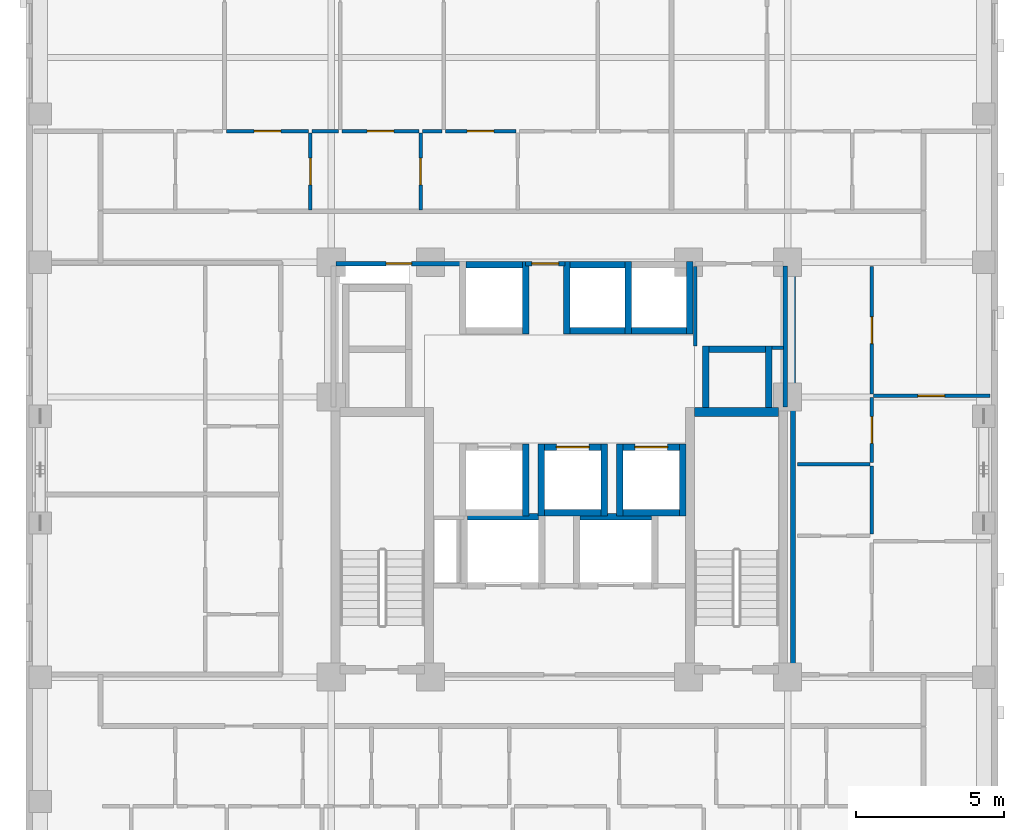
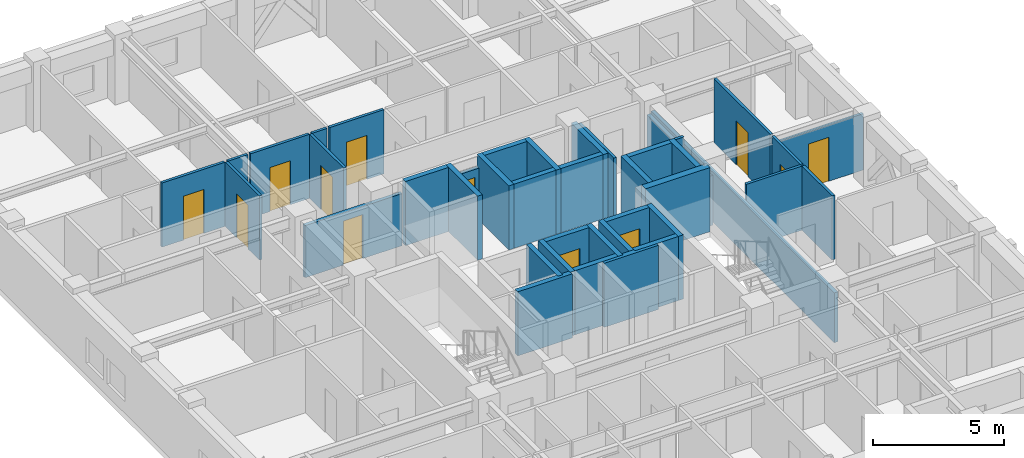
# One storey, part 6 of 12: 41 walls, 12 doors, 12 openings.
"""IFC4 building model written with IfcOpenShell, lengths in metres."""

import ifcopenshell
import ifcopenshell.guid

model = None  # the IFC model being written
_history = None  # IfcOwnerHistory: only IFC2X3 demands one
_inside = {}  # id of a spatial element -> (the spatial element, [elements in it])
_under = {}  # id of a project, library or spatial element -> (it, [spatial elements below it])
_declared = {}  # id of a project -> (the project, [libraries it declares])
_typed = {}  # id of a type object -> (the type object, [elements of that type])
_made_of = {}  # id of a material, layer set ... -> (it, [elements and type objects made of it])


def new_model(schema):
    """Start an empty IFC model of exactly this schema.

    Asked for "IFC4X3", IfcOpenShell would pick the latest addendum, in which some entities
    have other attributes; the version numbers below select the first issue.
    IFC2X3 requires an IfcOwnerHistory on every rooted entity: one is made here for all.
    """
    global model, _history
    if schema == "IFC4X3":
        model = ifcopenshell.file(schema_version=(4, 3, 0, 0))
    else:
        model = ifcopenshell.file(schema=schema)
    _inside.clear()
    _under.clear()
    _declared.clear()
    _typed.clear()
    _made_of.clear()
    _history = None
    if model.schema == "IFC2X3":
        org = make("IfcOrganization", Name="unknown")
        user = make(
            "IfcPersonAndOrganization",
            ThePerson=make("IfcPerson", FamilyName="unknown"),
            TheOrganization=org,
        )
        app = make(
            "IfcApplication",
            ApplicationDeveloper=org,
            Version="unknown",
            ApplicationFullName="unknown",
            ApplicationIdentifier="unknown",
        )
        _history = make(
            "IfcOwnerHistory",
            OwningUser=user,
            OwningApplication=app,
            ChangeAction="ADDED",
            CreationDate=0,
        )
    return model


def make(cls, **values):
    """One entity of the class cls with the attributes given. An attribute that is None is left unset."""
    return model.create_entity(
        cls, **{name: value for name, value in values.items() if value is not None}
    )


def rooted(cls, **values):
    """An entity with a GlobalId (a new one), such as an element, a storey or a relation."""
    return make(cls, GlobalId=ifcopenshell.guid.new(), OwnerHistory=_history, **values)


def si_unit(unit_type, name, prefix=None):
    """IfcSIUnit, for example si_unit("LENGTHUNIT", "METRE", prefix="MILLI")."""
    return make("IfcSIUnit", UnitType=unit_type, Prefix=prefix, Name=name)


def derived_unit(unit_type, elements):
    """IfcDerivedUnit: a product of units, each with its exponent."""
    return make(
        "IfcDerivedUnit",
        Elements=[
            make("IfcDerivedUnitElement", Unit=unit, Exponent=power)
            for unit, power in elements
        ],
        UnitType=unit_type,
    )


def assignment(units):
    """IfcUnitAssignment: the units of a project."""
    return None if units is None else make("IfcUnitAssignment", Units=units)


def point(xyz):
    """IfcCartesianPoint."""
    return None if xyz is None else make("IfcCartesianPoint", Coordinates=xyz)


def direction(xyz):
    """IfcDirection."""
    return None if xyz is None else make("IfcDirection", DirectionRatios=xyz)


def frame(location, z_axis=None, x_axis=None):
    """IfcAxis2Placement3D, a coordinate frame: its origin and axes. An axis left out is left unset."""
    return make(
        "IfcAxis2Placement3D",
        Location=point(location),
        Axis=direction(z_axis),
        RefDirection=direction(x_axis),
    )


def frame_2d(location, x_axis=None):
    """IfcAxis2Placement2D, a coordinate frame in the plane: its origin and x axis."""
    return make(
        "IfcAxis2Placement2D", Location=point(location), RefDirection=direction(x_axis)
    )


def origin():
    """The frame at (0, 0, 0) with its axes left unset."""
    return frame((0.0, 0.0, 0.0))


def place(relative_to, where):
    """IfcLocalPlacement: puts the frame where relative to a parent placement (None: the world)."""
    return make(
        "IfcLocalPlacement", PlacementRelTo=relative_to, RelativePlacement=where
    )


def context(
    kind, dimensions, precision=None, world=None, true_north=None, identifier=None
):
    """IfcGeometricRepresentationContext, for example the 3D "Model" context."""
    return make(
        "IfcGeometricRepresentationContext",
        ContextIdentifier=identifier,
        ContextType=kind,
        CoordinateSpaceDimension=dimensions,
        Precision=precision,
        WorldCoordinateSystem=world,
        TrueNorth=true_north,
    )


def subcontext(parent, identifier, kind, view, scale=None):
    """IfcGeometricRepresentationSubContext, for example "Body" below "Model"."""
    return make(
        "IfcGeometricRepresentationSubContext",
        ContextIdentifier=identifier,
        ContextType=kind,
        ParentContext=parent,
        TargetScale=scale,
        TargetView=view,
    )


def project(units=None, contexts=None):
    """IfcProject with its units and contexts."""
    return rooted(
        "IfcProject",
        Name="project",
        RepresentationContexts=contexts,
        UnitsInContext=assignment(units),
    )


def spatial(cls, under=None, at=None, **own):
    """A site, building, storey or space (cls), placed at a placement, below another one or the project."""
    s = rooted(cls, ObjectPlacement=at, **own)
    if under is not None:
        _under.setdefault(under.id(), (under, []))[1].append(s)
    return s


def profile(cls, at=None, kind="AREA", **sizes):
    """A parametric profile (cls). Its sizes go by their IFC names, for example OverallWidth=200.0."""
    return make(cls, ProfileType=kind, Position=at, **sizes)


def rectangle(**sizes):
    """IfcRectangleProfileDef."""
    return profile("IfcRectangleProfileDef", **sizes)


def extrude(swept, where, along, depth):
    """IfcExtrudedAreaSolid: the profile swept, set in the frame where, extruded along a direction by depth."""
    return make(
        "IfcExtrudedAreaSolid",
        SweptArea=swept,
        Position=where,
        ExtrudedDirection=direction(along),
        Depth=depth,
    )


def shape(context_of_items, identifier, shape_type, items):
    """IfcShapeRepresentation: the items that make up one representation, for example the "Body"."""
    return make(
        "IfcShapeRepresentation",
        ContextOfItems=context_of_items,
        RepresentationIdentifier=identifier,
        RepresentationType=shape_type,
        Items=items,
    )


def material(Name=None, Category=None):
    """IfcMaterial."""
    return make("IfcMaterial", Name=Name, Category=Category)


def layer(
    of_material, thickness, ventilated=None, Name=None, Category=None, Priority=None
):
    """IfcMaterialLayer: one layer of a wall or slab, of a material (None: an air gap)."""
    return make(
        "IfcMaterialLayer",
        Material=of_material,
        LayerThickness=thickness,
        IsVentilated=ventilated,
        Name=Name,
        Category=Category,
        Priority=Priority,
    )


def layer_set(layers, Name=None):
    """IfcMaterialLayerSet."""
    return make("IfcMaterialLayerSet", MaterialLayers=layers, LayerSetName=Name)


def made_of(thing, what):
    """Note that an element or type object is made of a material, layer set ...; save() writes the relation."""
    if what is not None:
        _made_of.setdefault(what.id(), (what, []))[1].append(thing)
    return thing


def type_object(cls, material=None, **own):
    """A type object (cls), such as IfcWallType, which elements share."""
    return made_of(rooted(cls, **own), material)


def element(
    cls,
    number,
    at=None,
    inside=None,
    cuts=None,
    type_object=None,
    material=None,
    context=None,
    identifier="Body",
    shape_type=None,
    held_by="IfcProductDefinitionShape",
    body=None,
    shapes=None,
    **own,
):
    """One element of the class cls, such as IfcWall. Its Tag is "e" and its number.

    at: its placement. inside: the storey or other place that contains it. cuts: it is an
    opening in that element (IfcRelVoidsElement). A single representation is given by context,
    identifier, shape_type and body (its items); several are given by shapes. held_by: the class
    of the entity that holds the representations. save() writes the other relations.
    """
    e = rooted(cls, Tag="e%d" % number, ObjectPlacement=at, **own)
    if body is not None:
        shapes = [shape(context, identifier, shape_type, body)]
    if shapes is not None:
        e.Representation = make(held_by, Representations=shapes)
    if inside is not None:
        _inside.setdefault(inside.id(), (inside, []))[1].append(e)
    if cuts is not None:
        rooted(
            "IfcRelVoidsElement", RelatingBuildingElement=cuts, RelatedOpeningElement=e
        )
    if type_object is not None:
        _typed.setdefault(type_object.id(), (type_object, []))[1].append(e)
    return made_of(e, material)


def fill(opening, filler):
    """IfcRelFillsElement: the door or window that sits in an opening."""
    return rooted(
        "IfcRelFillsElement",
        RelatingOpeningElement=opening,
        RelatedBuildingElement=filler,
    )


def aggregate(whole, parts):
    """IfcRelAggregates: a whole, such as a stair, and the parts it consists of."""
    return rooted("IfcRelAggregates", RelatingObject=whole, RelatedObjects=parts)


def save(model, path):
    """Write the relations noted so far, then the file.

    IfcRelAggregates (storeys below a building ...), IfcRelContainedInSpatialStructure (elements
    in a storey), IfcRelDefinesByType, IfcRelAssociatesMaterial and IfcRelDeclares: one each for
    every whole, place, type object, material and project.
    """
    for whole, parts in _under.values():
        aggregate(whole, parts)
    for where, things in _inside.values():
        rooted(
            "IfcRelContainedInSpatialStructure",
            RelatedElements=things,
            RelatingStructure=where,
        )
    for kind, things in _typed.values():
        rooted("IfcRelDefinesByType", RelatedObjects=things, RelatingType=kind)
    for what, things in _made_of.values():
        rooted("IfcRelAssociatesMaterial", RelatedObjects=things, RelatingMaterial=what)
    for by, libraries in _declared.values():
        rooted("IfcRelDeclares", RelatingContext=by, RelatedDefinitions=libraries)
    model.write(path)


model = new_model("IFC4")

# Units and contexts
model_context = context("Model", 3, precision=1e-05, world=origin(), true_north=direction((0.0, 1.0)))
body_context = subcontext(model_context, "Body", "Model", "MODEL_VIEW")
ifc_project = project(units=[si_unit("LENGTHUNIT", "METRE"), si_unit("AREAUNIT", "SQUARE_METRE"), si_unit("VOLUMEUNIT", "CUBIC_METRE"), si_unit("PLANEANGLEUNIT", "RADIAN"), si_unit("MASSUNIT", "GRAM", prefix="KILO"), derived_unit("THERMALTRANSMITTANCEUNIT", [(si_unit("MASSUNIT", "GRAM", prefix="KILO"), 1), (si_unit("TIMEUNIT", "SECOND"), -3), (si_unit("THERMODYNAMICTEMPERATUREUNIT", "KELVIN"), -1)])], contexts=[model_context])

# Site, building, storey
site_placement = place(None, origin())
site = spatial("IfcSite", under=ifc_project, at=site_placement, CompositionType="ELEMENT")
building_placement = place(site_placement, origin())
building = spatial("IfcBuilding", under=site, at=building_placement, Name="Korrvale Station Residences", CompositionType="ELEMENT")
storey_placement = place(building_placement, frame((0.0, 0.0, 127.64990234375)))
storey = spatial("IfcBuildingStorey", under=building, at=storey_placement, Name="L36", CompositionType="ELEMENT", Elevation=127.64990234375)

# Walls
ifc_material_1 = material(Name="Concrete C60/75", Category="concrete")
ifc_layer_1 = layer(ifc_material_1, 0.300048828125, Name="Concrete C60/75")
ifc_layer_set_1 = layer_set([ifc_layer_1], Name="Concrete C60/75")
wall_type_1 = type_object("IfcWallType", Name="WAL-CORE-300-C60", PredefinedType="SHEAR", material=ifc_layer_set_1)
wall_1_placement = place(storey_placement, frame((30.050048828125, 23.949951171875, 0.0), z_axis=(0.0, 0.0, 1.0), x_axis=(1.0, 0.0, 0.0)))
element("IfcWall", 1, at=wall_1_placement, inside=storey, type_object=wall_type_1, Name="L36 ST-2 Core Shear Wall North", PredefinedType="SHEAR", context=body_context, shape_type="SweptSolid", body=[
    extrude(rectangle(XDim=2.849853515625, YDim=0.300048828125, at=frame_2d((1.4248046875, 0.0))), origin(), (0.0, 0.0, 1.0), 2.989990234375),
])
ifc_material_2 = material(Name="Acoustic steel-stud gypsum board partition", Category="steel")
ifc_layer_2 = layer(ifc_material_2, 0.1201171875, Name="Acoustic steel-stud gypsum board partition")
ifc_layer_set_2 = layer_set([ifc_layer_2], Name="Acoustic steel-stud gypsum board partition")
wall_type_2 = type_object("IfcWallType", Name="WAL-PART-125", PredefinedType="PARTITIONING", material=ifc_layer_set_2)
wall_2_placement = place(storey_placement, frame((30.080078125, 26.179931640625, 0.0), z_axis=(0.0, 0.0, 1.0), x_axis=(0.0, 1.0, 0.0)))
element("IfcWall", 2, at=wall_2_placement, inside=storey, type_object=wall_type_2, Name="L36 Core Partition CW-CS-W", PredefinedType="PARTITIONING", context=body_context, shape_type="SweptSolid", body=[
    extrude(rectangle(XDim=2.68017578125, YDim=0.1201171875, at=frame_2d((1.340087890625, 0.0))), origin(), (0.0, 0.0, 1.0), 2.989990234375),
])
wall_3_placement = place(storey_placement, frame((32.679931640625, 26.1201171875, 0.0), z_axis=(0.0, 0.0, 1.0), x_axis=(1.0, 0.0, 0.0)))
element("IfcWall", 3, at=wall_3_placement, inside=storey, type_object=wall_type_2, Name="L36 Core Partition CW-CS-S", PredefinedType="PARTITIONING", context=body_context, shape_type="SweptSolid", body=[
    extrude(rectangle(XDim=0.380126953125, YDim=0.1201171875, at=frame_2d((0.18994140625, 0.0))), origin(), (0.0, 0.0, 1.0), 2.989990234375),
])

# Wall, opening, door
wall_4_placement = place(storey_placement, frame((17.10009765625, 30.760009765625, 0.0), z_axis=(0.0, 0.0, 1.0), x_axis=(0.0, 1.0, 0.0)))
wall_4 = element("IfcWall", 4, at=wall_4_placement, inside=storey, type_object=wall_type_2, Name="L36 Suite Partition U02-V12", PredefinedType="PARTITIONING", context=body_context, shape_type="SweptSolid", body=[
    extrude(rectangle(XDim=2.60009765625, YDim=0.1201171875, at=frame_2d((1.300048828125, 0.0))), origin(), (0.0, 0.0, 1.0), 2.989990234375),
])
opening_1_placement = place(wall_4_placement, frame((0.85009765625, 0.0, 0.0)))
opening_1 = element("IfcOpeningElement", 5, at=opening_1_placement, cuts=wall_4, Name="Opening DI-900", PredefinedType="OPENING", context=body_context, shape_type="SweptSolid", body=[
    extrude(rectangle(XDim=0.89990234375, YDim=2.050048828125, at=frame_2d((0.449951171875, 1.02490234375))), frame((0.0, 0.070068359375, 0.0), z_axis=(0.0, -1.0, 0.0), x_axis=(1.0, 0.0, 0.0)), (0.0, 0.0, 1.0), 0.14013671875),
])
ifc_material_3 = material(Name="Painted solid-core timber interior room door", Category="wood")
door_type_1 = type_object("IfcDoorType", Name="DR-INT-900", OperationType="NOTDEFINED", PredefinedType="DOOR", material=ifc_material_3)
door_1_placement = place(opening_1_placement, origin())
door_1 = element("IfcDoor", 6, at=door_1_placement, inside=storey, type_object=door_type_1, Name="L36 Apartment 1BR L36-U02 Kitchen Door", OperationType="SINGLE_SWING_RIGHT", OverallHeight=2.050048828125, OverallWidth=0.89990234375, PredefinedType="DOOR", context=body_context, shape_type="SweptSolid", body=[
    extrude(rectangle(XDim=0.89990234375, YDim=2.050048828125, at=frame_2d((0.449951171875, 1.02490234375))), frame((0.0, 0.02490234375, 0.0), z_axis=(0.0, -1.0, 0.0), x_axis=(1.0, 0.0, 0.0)), (0.0, 0.0, 1.0), 0.050048828125),
])
fill(opening_1, door_1)

wall_5_placement = place(storey_placement, frame((14.260009765625, 33.419921875, 0.0), z_axis=(0.0, 0.0, 1.0), x_axis=(1.0, 0.0, 0.0)))
wall_5 = element("IfcWall", 7, at=wall_5_placement, inside=storey, type_object=wall_type_2, Name="L36 Suite Partition U02-H16", PredefinedType="PARTITIONING", context=body_context, shape_type="SweptSolid", body=[
    extrude(rectangle(XDim=2.780029296875, YDim=0.1201171875, at=frame_2d((1.39013671875, 0.0))), origin(), (0.0, 0.0, 1.0), 2.989990234375),
])
opening_2_placement = place(wall_5_placement, frame((0.93994140625, 0.0, 0.0)))
opening_2 = element("IfcOpeningElement", 8, at=opening_2_placement, cuts=wall_5, Name="Opening DI-900", PredefinedType="OPENING", context=body_context, shape_type="SweptSolid", body=[
    extrude(rectangle(XDim=0.89990234375, YDim=2.050048828125, at=frame_2d((0.449951171875, 1.02490234375))), frame((0.0, 0.070068359375, 0.0), z_axis=(0.0, -1.0, 0.0), x_axis=(1.0, 0.0, 0.0)), (0.0, 0.0, 1.0), 0.14013671875),
])
door_2_placement = place(opening_2_placement, origin())
door_2 = element("IfcDoor", 9, at=door_2_placement, inside=storey, type_object=door_type_1, Name="L36 Apartment 1BR L36-U02 Kitchen Door", OperationType="SINGLE_SWING_RIGHT", OverallHeight=2.050048828125, OverallWidth=0.89990234375, PredefinedType="DOOR", context=body_context, shape_type="SweptSolid", body=[
    extrude(rectangle(XDim=0.89990234375, YDim=2.050048828125, at=frame_2d((0.449951171875, 1.02490234375))), frame((0.0, 0.02490234375, 0.0), z_axis=(0.0, -1.0, 0.0), x_axis=(1.0, 0.0, 0.0)), (0.0, 0.0, 1.0), 0.050048828125),
])
fill(opening_2, door_2)

wall_6_placement = place(storey_placement, frame((20.820068359375, 30.760009765625, 0.0), z_axis=(0.0, 0.0, 1.0), x_axis=(0.0, 1.0, 0.0)))
wall_6 = element("IfcWall", 10, at=wall_6_placement, inside=storey, type_object=wall_type_2, Name="L36 Suite Partition U02-V23", PredefinedType="PARTITIONING", context=body_context, shape_type="SweptSolid", body=[
    extrude(rectangle(XDim=2.60009765625, YDim=0.1201171875, at=frame_2d((1.300048828125, 0.0))), origin(), (0.0, 0.0, 1.0), 2.989990234375),
])
opening_3_placement = place(wall_6_placement, frame((0.85009765625, 0.0, 0.0)))
opening_3 = element("IfcOpeningElement", 11, at=opening_3_placement, cuts=wall_6, Name="Opening DI-900", PredefinedType="OPENING", context=body_context, shape_type="SweptSolid", body=[
    extrude(rectangle(XDim=0.89990234375, YDim=2.050048828125, at=frame_2d((0.449951171875, 1.02490234375))), frame((0.0, 0.070068359375, 0.0), z_axis=(0.0, -1.0, 0.0), x_axis=(1.0, 0.0, 0.0)), (0.0, 0.0, 1.0), 0.14013671875),
])
door_3_placement = place(opening_3_placement, origin())
door_3 = element("IfcDoor", 12, at=door_3_placement, inside=storey, type_object=door_type_1, Name="L36 Apartment 1BR L36-U02 Utility and Laundry Room Door", OperationType="SINGLE_SWING_LEFT", OverallHeight=2.050048828125, OverallWidth=0.89990234375, PredefinedType="DOOR", context=body_context, shape_type="SweptSolid", body=[
    extrude(rectangle(XDim=0.89990234375, YDim=2.050048828125, at=frame_2d((0.449951171875, 1.02490234375))), frame((0.0, 0.02490234375, 0.0), z_axis=(0.0, -1.0, 0.0), x_axis=(1.0, 0.0, 0.0)), (0.0, 0.0, 1.0), 0.050048828125),
])
fill(opening_3, door_3)

# Wall
wall_7_placement = place(storey_placement, frame((17.159912109375, 33.419921875, 0.0), z_axis=(0.0, 0.0, 1.0), x_axis=(1.0, 0.0, 0.0)))
element("IfcWall", 13, at=wall_7_placement, inside=storey, type_object=wall_type_2, Name="L36 Suite Partition U02-H26", PredefinedType="PARTITIONING", context=body_context, shape_type="SweptSolid", body=[
    extrude(rectangle(XDim=0.885009765625, YDim=0.1201171875, at=frame_2d((0.4423828125, 0.0))), origin(), (0.0, 0.0, 1.0), 2.989990234375),
])

# Wall, opening, door
wall_8_placement = place(storey_placement, frame((18.1650390625, 33.419921875, 0.0), z_axis=(0.0, 0.0, 1.0), x_axis=(1.0, 0.0, 0.0)))
wall_8 = element("IfcWall", 14, at=wall_8_placement, inside=storey, type_object=wall_type_2, Name="L36 Suite Partition U02-H27", PredefinedType="PARTITIONING", context=body_context, shape_type="SweptSolid", body=[
    extrude(rectangle(XDim=2.594970703125, YDim=0.1201171875, at=frame_2d((1.29736328125, 0.0))), origin(), (0.0, 0.0, 1.0), 2.989990234375),
])
opening_4_placement = place(wall_8_placement, frame((0.846923828125, 0.0, 0.0)))
opening_4 = element("IfcOpeningElement", 15, at=opening_4_placement, cuts=wall_8, Name="Opening DI-900", PredefinedType="OPENING", context=body_context, shape_type="SweptSolid", body=[
    extrude(rectangle(XDim=0.89990234375, YDim=2.050048828125, at=frame_2d((0.449951171875, 1.02490234375))), frame((0.0, 0.070068359375, 0.0), z_axis=(0.0, -1.0, 0.0), x_axis=(1.0, 0.0, 0.0)), (0.0, 0.0, 1.0), 0.14013671875),
])
door_4_placement = place(opening_4_placement, origin())
door_4 = element("IfcDoor", 16, at=door_4_placement, inside=storey, type_object=door_type_1, Name="L36 Apartment 1BR L36-U02 Utility and Laundry Room Door", OperationType="SINGLE_SWING_RIGHT", OverallHeight=2.050048828125, OverallWidth=0.89990234375, PredefinedType="DOOR", context=body_context, shape_type="SweptSolid", body=[
    extrude(rectangle(XDim=0.89990234375, YDim=2.050048828125, at=frame_2d((0.449951171875, 1.02490234375))), frame((0.0, 0.02490234375, 0.0), z_axis=(0.0, -1.0, 0.0), x_axis=(1.0, 0.0, 0.0)), (0.0, 0.0, 1.0), 0.050048828125),
])
fill(opening_4, door_4)

# Wall
wall_9_placement = place(storey_placement, frame((20.8798828125, 33.419921875, 0.0), z_axis=(0.0, 0.0, 1.0), x_axis=(1.0, 0.0, 0.0)))
element("IfcWall", 17, at=wall_9_placement, inside=storey, type_object=wall_type_2, Name="L36 Suite Partition U02-H37", PredefinedType="PARTITIONING", context=body_context, shape_type="SweptSolid", body=[
    extrude(rectangle(XDim=0.650146484375, YDim=0.1201171875, at=frame_2d((0.3251953125, 0.0))), origin(), (0.0, 0.0, 1.0), 2.989990234375),
])

# Wall, opening, door
wall_10_placement = place(storey_placement, frame((21.64990234375, 33.419921875, 0.0), z_axis=(0.0, 0.0, 1.0), x_axis=(1.0, 0.0, 0.0)))
wall_10 = element("IfcWall", 18, at=wall_10_placement, inside=storey, type_object=wall_type_2, Name="L36 Suite Partition U02-H38", PredefinedType="PARTITIONING", context=body_context, shape_type="SweptSolid", body=[
    extrude(rectangle(XDim=2.380126953125, YDim=0.1201171875, at=frame_2d((1.18994140625, 0.0))), origin(), (0.0, 0.0, 1.0), 2.989990234375),
])
opening_5_placement = place(wall_10_placement, frame((0.739990234375, 0.0, 0.0)))
opening_5 = element("IfcOpeningElement", 19, at=opening_5_placement, cuts=wall_10, Name="Opening DI-900", PredefinedType="OPENING", context=body_context, shape_type="SweptSolid", body=[
    extrude(rectangle(XDim=0.89990234375, YDim=2.050048828125, at=frame_2d((0.449951171875, 1.02490234375))), frame((0.0, 0.070068359375, 0.0), z_axis=(0.0, -1.0, 0.0), x_axis=(1.0, 0.0, 0.0)), (0.0, 0.0, 1.0), 0.14013671875),
])
door_5_placement = place(opening_5_placement, origin())
door_5 = element("IfcDoor", 20, at=door_5_placement, inside=storey, type_object=door_type_1, Name="L36 Apartment 1BR L36-U02 Storage Closet 2 Door", OperationType="SINGLE_SWING_RIGHT", OverallHeight=2.050048828125, OverallWidth=0.89990234375, PredefinedType="DOOR", context=body_context, shape_type="SweptSolid", body=[
    extrude(rectangle(XDim=0.89990234375, YDim=2.050048828125, at=frame_2d((0.449951171875, 1.02490234375))), frame((0.0, 0.02490234375, 0.0), z_axis=(0.0, -1.0, 0.0), x_axis=(1.0, 0.0, 0.0)), (0.0, 0.0, 1.0), 0.050048828125),
])
fill(opening_5, door_5)

# Wall
wall_11_placement = place(storey_placement, frame((33.530029296875, 22.18994140625, 0.0), z_axis=(0.0, 0.0, 1.0), x_axis=(1.0, 0.0, 0.0)))
element("IfcWall", 21, at=wall_11_placement, inside=storey, type_object=wall_type_2, Name="L36 Suite Partition U06-H01", PredefinedType="PARTITIONING", context=body_context, shape_type="SweptSolid", body=[
    extrude(rectangle(XDim=2.449951171875, YDim=0.1201171875, at=frame_2d((1.22509765625, 0.0))), origin(), (0.0, 0.0, 1.0), 2.989990234375),
])

# Wall, opening, door
wall_12_placement = place(storey_placement, frame((36.0400390625, 22.25, 0.0), z_axis=(0.0, 0.0, 1.0), x_axis=(0.0, 1.0, 0.0)))
wall_12 = element("IfcWall", 22, at=wall_12_placement, inside=storey, type_object=wall_type_2, Name="L36 Suite Partition U06-V04", PredefinedType="PARTITIONING", context=body_context, shape_type="SweptSolid", body=[
    extrude(rectangle(XDim=2.181884765625, YDim=0.1201171875, at=frame_2d((1.0908203125, 0.0))), origin(), (0.0, 0.0, 1.0), 2.989990234375),
])
opening_6_placement = place(wall_12_placement, frame((0.64111328125, 0.0, 0.0)))
opening_6 = element("IfcOpeningElement", 23, at=opening_6_placement, cuts=wall_12, Name="Opening DI-900", PredefinedType="OPENING", context=body_context, shape_type="SweptSolid", body=[
    extrude(rectangle(XDim=0.89990234375, YDim=2.050048828125, at=frame_2d((0.449951171875, 1.02490234375))), frame((0.0, 0.070068359375, 0.0), z_axis=(0.0, -1.0, 0.0), x_axis=(1.0, 0.0, 0.0)), (0.0, 0.0, 1.0), 0.14013671875),
])
door_6_placement = place(opening_6_placement, origin())
door_6 = element("IfcDoor", 24, at=door_6_placement, inside=storey, type_object=door_type_1, Name="L36 Apartment 2BR L36-U06 Wardrobe Storage Room Door", OperationType="SINGLE_SWING_LEFT", OverallHeight=2.050048828125, OverallWidth=0.89990234375, PredefinedType="DOOR", context=body_context, shape_type="SweptSolid", body=[
    extrude(rectangle(XDim=0.89990234375, YDim=2.050048828125, at=frame_2d((0.449951171875, 1.02490234375))), frame((0.0, 0.02490234375, 0.0), z_axis=(0.0, -1.0, 0.0), x_axis=(1.0, 0.0, 0.0)), (0.0, 0.0, 1.0), 0.050048828125),
])
fill(opening_6, door_6)

wall_13_placement = place(storey_placement, frame((36.0400390625, 24.552001953125, 0.0), z_axis=(0.0, 0.0, 1.0), x_axis=(0.0, 1.0, 0.0)))
wall_13 = element("IfcWall", 25, at=wall_13_placement, inside=storey, type_object=wall_type_2, Name="L36 Suite Partition U06-V05", PredefinedType="PARTITIONING", context=body_context, shape_type="SweptSolid", body=[
    extrude(rectangle(XDim=4.30810546875, YDim=0.1201171875, at=frame_2d((2.154052734375, 0.0))), origin(), (0.0, 0.0, 1.0), 2.989990234375),
])
opening_7_placement = place(wall_13_placement, frame((1.7041015625, 0.0, 0.0)))
opening_7 = element("IfcOpeningElement", 26, at=opening_7_placement, cuts=wall_13, Name="Opening DI-900", PredefinedType="OPENING", context=body_context, shape_type="SweptSolid", body=[
    extrude(rectangle(XDim=0.89990234375, YDim=2.050048828125, at=frame_2d((0.449951171875, 1.02490234375))), frame((0.0, 0.070068359375, 0.0), z_axis=(0.0, -1.0, 0.0), x_axis=(1.0, 0.0, 0.0)), (0.0, 0.0, 1.0), 0.14013671875),
])
door_7_placement = place(opening_7_placement, origin())
door_7 = element("IfcDoor", 27, at=door_7_placement, inside=storey, type_object=door_type_1, Name="L36 Apartment 2BR L36-U06 Wardrobe Storage Room Door", OperationType="SINGLE_SWING_RIGHT", OverallHeight=2.050048828125, OverallWidth=0.89990234375, PredefinedType="DOOR", context=body_context, shape_type="SweptSolid", body=[
    extrude(rectangle(XDim=0.89990234375, YDim=2.050048828125, at=frame_2d((0.449951171875, 1.02490234375))), frame((0.0, 0.02490234375, 0.0), z_axis=(0.0, -1.0, 0.0), x_axis=(1.0, 0.0, 0.0)), (0.0, 0.0, 1.0), 0.050048828125),
])
fill(opening_7, door_7)

# Wall
wall_14_placement = place(storey_placement, frame((36.0400390625, 19.830078125, 0.0), z_axis=(0.0, 0.0, 1.0), x_axis=(0.0, 1.0, 0.0)))
element("IfcWall", 28, at=wall_14_placement, inside=storey, type_object=wall_type_2, Name="L36 Suite Partition U06-V14", PredefinedType="PARTITIONING", context=body_context, shape_type="SweptSolid", body=[
    extrude(rectangle(XDim=2.2998046875, YDim=0.1201171875, at=frame_2d((1.14990234375, 0.0))), origin(), (0.0, 0.0, 1.0), 2.989990234375),
])

# Wall, opening, door
wall_15_placement = place(storey_placement, frame((36.10009765625, 24.491943359375, 0.0), z_axis=(0.0, 0.0, 1.0), x_axis=(1.0, 0.0, 0.0)))
wall_15 = element("IfcWall", 29, at=wall_15_placement, inside=storey, type_object=wall_type_2, Name="L36 Suite Partition U06-H45", PredefinedType="PARTITIONING", context=body_context, shape_type="SweptSolid", body=[
    extrude(rectangle(XDim=3.919921875, YDim=0.1201171875, at=frame_2d((1.9599609375, 0.0))), origin(), (0.0, 0.0, 1.0), 2.62109375),
])
opening_8_placement = place(wall_15_placement, frame((1.4951171875, 0.0, 0.0)))
opening_8 = element("IfcOpeningElement", 30, at=opening_8_placement, cuts=wall_15, Name="Opening DI-900", PredefinedType="OPENING", context=body_context, shape_type="SweptSolid", body=[
    extrude(rectangle(XDim=0.89990234375, YDim=2.050048828125, at=frame_2d((0.449951171875, 1.02490234375))), frame((0.0, 0.070068359375, 0.0), z_axis=(0.0, -1.0, 0.0), x_axis=(1.0, 0.0, 0.0)), (0.0, 0.0, 1.0), 0.14013671875),
])
door_8_placement = place(opening_8_placement, origin())
door_8 = element("IfcDoor", 31, at=door_8_placement, inside=storey, type_object=door_type_1, Name="L36 Apartment 2BR L36-U06 Living and Dining Room Door", OperationType="SINGLE_SWING_RIGHT", OverallHeight=2.050048828125, OverallWidth=0.89990234375, PredefinedType="DOOR", context=body_context, shape_type="SweptSolid", body=[
    extrude(rectangle(XDim=0.89990234375, YDim=2.050048828125, at=frame_2d((0.449951171875, 1.02490234375))), frame((0.0, 0.02490234375, 0.0), z_axis=(0.0, -1.0, 0.0), x_axis=(1.0, 0.0, 0.0)), (0.0, 0.0, 1.0), 0.050048828125),
])
fill(opening_8, door_8)

# Wall
ifc_material_4 = material(Name="Fire-rated twin-stud gypsum and mineral wool shaftwall assembly", Category="gypsum")
ifc_layer_3 = layer(ifc_material_4, 0.159912109375, Name="Fire-rated twin-stud gypsum and mineral wool shaftwall assembly")
ifc_layer_set_3 = layer_set([ifc_layer_3], Name="Fire-rated twin-stud gypsum and mineral wool shaftwall assembly")
wall_type_3 = type_object("IfcWallType", Name="WAL-PART-200", PredefinedType="PARTITIONING", material=ifc_layer_set_3)
wall_16_placement = place(storey_placement, frame((33.1201171875, 24.1201171875, 0.0), z_axis=(0.0, 0.0, 1.0), x_axis=(0.0, 1.0, 0.0)))
element("IfcWall", 32, at=wall_16_placement, inside=storey, type_object=wall_type_3, Name="L36 Core Partition CW-E-N", PredefinedType="PARTITIONING", context=body_context, shape_type="SweptSolid", body=[
    extrude(rectangle(XDim=4.759765625, YDim=0.159912109375, at=frame_2d((2.3798828125, 0.0))), origin(), (0.0, 0.0, 1.0), 2.3251953125),
])

# Wall, opening, door
wall_17_placement = place(storey_placement, frame((24.360107421875, 28.949951171875, 0.0), z_axis=(0.0, 0.0, 1.0), x_axis=(1.0, 0.0, 0.0)))
wall_17 = element("IfcWall", 33, at=wall_17_placement, inside=storey, type_object=wall_type_3, Name="L36 Core Partition CW-LLOB-N", PredefinedType="PARTITIONING", context=body_context, shape_type="SweptSolid", body=[
    extrude(rectangle(XDim=1.31982421875, YDim=0.159912109375, at=frame_2d((0.659912109375, 0.0))), origin(), (0.0, 0.0, 1.0), 2.426025390625),
])
opening_9_placement = place(wall_17_placement, frame((0.2099609375, 0.0, 0.0)))
opening_9 = element("IfcOpeningElement", 34, at=opening_9_placement, cuts=wall_17, Name="Opening DI-900", PredefinedType="OPENING", context=body_context, shape_type="SweptSolid", body=[
    extrude(rectangle(XDim=0.89990234375, YDim=2.050048828125, at=frame_2d((0.449951171875, 1.02490234375))), frame((0.0, 0.08984375, 0.0), z_axis=(0.0, -1.0, 0.0), x_axis=(1.0, 0.0, 0.0)), (0.0, 0.0, 1.0), 0.179931640625),
])
door_9_placement = place(opening_9_placement, origin())
door_9 = element("IfcDoor", 35, at=door_9_placement, inside=storey, type_object=door_type_1, Name="L36 Central Hallway North Passage Door", OperationType="SINGLE_SWING_LEFT", OverallHeight=2.050048828125, OverallWidth=0.89990234375, PredefinedType="DOOR", context=body_context, shape_type="SweptSolid", body=[
    extrude(rectangle(XDim=0.89990234375, YDim=2.050048828125, at=frame_2d((0.449951171875, 1.02490234375))), frame((0.0, 0.02490234375, 0.0), z_axis=(0.0, -1.0, 0.0), x_axis=(1.0, 0.0, 0.0)), (0.0, 0.0, 1.0), 0.050048828125),
])
fill(opening_9, door_9)

wall_18_placement = place(storey_placement, frame((17.9599609375, 28.949951171875, 0.0), z_axis=(0.0, 0.0, 1.0), x_axis=(1.0, 0.0, 0.0)))
wall_18 = element("IfcWall", 36, at=wall_18_placement, inside=storey, type_object=wall_type_3, Name="L36 Core Partition CW-NW", PredefinedType="PARTITIONING", context=body_context, shape_type="SweptSolid", body=[
    extrude(rectangle(XDim=4.2900390625, YDim=0.159912109375, at=frame_2d((2.14501953125, 0.0))), origin(), (0.0, 0.0, 1.0), 2.426025390625),
])
opening_10_placement = place(wall_18_placement, frame((1.695068359375, 0.0, 0.0)))
opening_10 = element("IfcOpeningElement", 37, at=opening_10_placement, cuts=wall_18, Name="Opening DB-860", PredefinedType="OPENING", context=body_context, shape_type="SweptSolid", body=[
    extrude(rectangle(XDim=0.860107421875, YDim=2.050048828125, at=frame_2d((0.43017578125, 1.02490234375))), frame((0.0, 0.08984375, 0.0), z_axis=(0.0, -1.0, 0.0), x_axis=(1.0, 0.0, 0.0)), (0.0, 0.0, 1.0), 0.179931640625),
])
ifc_material_5 = material(Name="Moisture-resistant solid-core bathroom door", Category="timber")
door_type_2 = type_object("IfcDoorType", Name="DR-BATH-860", OperationType="NOTDEFINED", PredefinedType="DOOR", material=ifc_material_5)
door_10_placement = place(opening_10_placement, origin())
door_10 = element("IfcDoor", 38, at=door_10_placement, inside=storey, type_object=door_type_2, Name="L36 Electrical Riser Access Door", OperationType="SINGLE_SWING_RIGHT", OverallHeight=2.050048828125, OverallWidth=0.860107421875, PredefinedType="DOOR", context=body_context, shape_type="SweptSolid", body=[
    extrude(rectangle(XDim=0.860107421875, YDim=2.050048828125, at=frame_2d((0.43017578125, 1.02490234375))), frame((0.0, 0.02490234375, 0.0), z_axis=(0.0, -1.0, 0.0), x_axis=(1.0, 0.0, 0.0)), (0.0, 0.0, 1.0), 0.050048828125),
])
fill(opening_10, door_10)

# Walls
wall_19_placement = place(storey_placement, frame((33.3798828125, 15.02001953125, 0.0), z_axis=(0.0, 0.0, 1.0), x_axis=(0.0, 1.0, 0.0)))
element("IfcWall", 39, at=wall_19_placement, inside=storey, type_object=wall_type_3, Name="L36 Rated Corridor Wall E", PredefinedType="PARTITIONING", context=body_context, shape_type="SweptSolid", body=[
    extrude(rectangle(XDim=13.97998046875, YDim=0.159912109375, at=frame_2d((6.989990234375, 0.0))), origin(), (0.0, 0.0, 1.0), 2.3251953125),
])
ifc_layer_4 = layer(ifc_material_1, 0.219970703125, Name="Concrete C60/75")
ifc_layer_set_4 = layer_set([ifc_layer_4], Name="Concrete C60/75")
wall_type_4 = type_object("IfcWallType", Name="WAL-SHAFT-220-C60", PredefinedType="SHEAR", material=ifc_layer_set_4)
wall_20_placement = place(storey_placement, frame((22.35009765625, 28.909912109375, 0.0), z_axis=(0.0, 0.0, 1.0), x_axis=(1.0, 0.0, 0.0)))
element("IfcWall", 40, at=wall_20_placement, inside=storey, type_object=wall_type_4, Name="L36 Elevator PL-1 Hoistway Wall North", PredefinedType="SHEAR", context=body_context, shape_type="SweptSolid", body=[
    extrude(rectangle(XDim=1.89990234375, YDim=0.219970703125, at=frame_2d((0.949951171875, 0.0))), origin(), (0.0, 0.0, 1.0), 2.989990234375),
])
wall_21_placement = place(storey_placement, frame((24.360107421875, 26.580078125, 0.0), z_axis=(0.0, 0.0, 1.0), x_axis=(0.0, 1.0, 0.0)))
element("IfcWall", 41, at=wall_21_placement, inside=storey, type_object=wall_type_4, Name="L36 Elevator PL-1 Hoistway Wall East", PredefinedType="SHEAR", context=body_context, shape_type="SweptSolid", body=[
    extrude(rectangle(XDim=2.43994140625, YDim=0.219970703125, at=frame_2d((1.219970703125, 0.0))), origin(), (0.0, 0.0, 1.0), 2.989990234375),
])
for number, where, z_axis, x_axis, name in (
    (42, (25.85009765625, 26.68994140625, 0.0), (0.0, 0.0, 1.0), (1.0, 0.0, 0.0), "L36 Elevator PL-2 Hoistway Wall South"),
    (43, (25.85009765625, 28.909912109375, 0.0), (0.0, 0.0, 1.0), (1.0, 0.0, 0.0), "L36 Elevator PL-2 Hoistway Wall North"),
):
    element("IfcWall", number, at=place(storey_placement, frame(where, z_axis=z_axis, x_axis=x_axis)), inside=storey, type_object=wall_type_4, Name=name, PredefinedType="SHEAR", context=body_context, shape_type="SweptSolid", body=[
        extrude(rectangle(XDim=1.85986328125, YDim=0.219970703125, at=frame_2d((0.929931640625, 0.0))), origin(), (0.0, 0.0, 1.0), 2.989990234375),
    ])
for number, where, z_axis, x_axis, name in (
    (44, (25.739990234375, 26.580078125, 0.0), (0.0, 0.0, 1.0), (0.0, 1.0, 0.0), "L36 Elevator PL-2 Hoistway Wall West"),
    (45, (27.820068359375, 26.580078125, 0.0), (0.0, 0.0, 1.0), (0.0, 1.0, 0.0), "L36 Elevator PL-2 Hoistway Wall East"),
):
    element("IfcWall", number, at=place(storey_placement, frame(where, z_axis=z_axis, x_axis=x_axis)), inside=storey, type_object=wall_type_4, Name=name, PredefinedType="SHEAR", context=body_context, shape_type="SweptSolid", body=[
        extrude(rectangle(XDim=2.43994140625, YDim=0.219970703125, at=frame_2d((1.219970703125, 0.0))), origin(), (0.0, 0.0, 1.0), 2.989990234375),
    ])
wall_22_placement = place(storey_placement, frame((27.929931640625, 26.68994140625, 0.0), z_axis=(0.0, 0.0, 1.0), x_axis=(1.0, 0.0, 0.0)))
element("IfcWall", 46, at=wall_22_placement, inside=storey, type_object=wall_type_4, Name="L36 Elevator PL-3 Hoistway Wall South", PredefinedType="SHEAR", context=body_context, shape_type="SweptSolid", body=[
    extrude(rectangle(XDim=1.860107421875, YDim=0.219970703125, at=frame_2d((0.93017578125, 0.0))), origin(), (0.0, 0.0, 1.0), 2.989990234375),
])
wall_23_placement = place(storey_placement, frame((29.89990234375, 26.580078125, 0.0), z_axis=(0.0, 0.0, 1.0), x_axis=(0.0, 1.0, 0.0)))
element("IfcWall", 47, at=wall_23_placement, inside=storey, type_object=wall_type_4, Name="L36 Elevator PL-3 Hoistway Wall East", PredefinedType="SHEAR", context=body_context, shape_type="SweptSolid", body=[
    extrude(rectangle(XDim=2.43994140625, YDim=0.219970703125, at=frame_2d((1.219970703125, 0.0))), origin(), (0.0, 0.0, 1.0), 2.989990234375),
])
wall_24_placement = place(storey_placement, frame((24.360107421875, 20.429931640625, 0.0), z_axis=(0.0, 0.0, 1.0), x_axis=(0.0, 1.0, 0.0)))
element("IfcWall", 48, at=wall_24_placement, inside=storey, type_object=wall_type_4, Name="L36 Elevator PM-1 Hoistway Wall East", PredefinedType="SHEAR", context=body_context, shape_type="SweptSolid", body=[
    extrude(rectangle(XDim=2.440185546875, YDim=0.219970703125, at=frame_2d((1.22021484375, 0.0))), origin(), (0.0, 0.0, 1.0), 2.989990234375),
])
wall_25_placement = place(storey_placement, frame((25.0, 20.5400390625, 0.0), z_axis=(0.0, 0.0, 1.0), x_axis=(1.0, 0.0, 0.0)))
element("IfcWall", 49, at=wall_25_placement, inside=storey, type_object=wall_type_4, Name="L36 Elevator PM-2 Hoistway Wall South", PredefinedType="SHEAR", context=body_context, shape_type="SweptSolid", body=[
    extrude(rectangle(XDim=1.89990234375, YDim=0.219970703125, at=frame_2d((0.949951171875, 0.0))), origin(), (0.0, 0.0, 1.0), 2.989990234375),
])

# Wall, opening, door
wall_26_placement = place(storey_placement, frame((25.0, 22.760009765625, 0.0), z_axis=(0.0, 0.0, 1.0), x_axis=(1.0, 0.0, 0.0)))
wall_26 = element("IfcWall", 50, at=wall_26_placement, inside=storey, type_object=wall_type_4, Name="L36 Elevator PM-2 Hoistway Wall North", PredefinedType="SHEAR", context=body_context, shape_type="SweptSolid", body=[
    extrude(rectangle(XDim=1.89990234375, YDim=0.219970703125, at=frame_2d((0.949951171875, 0.0))), origin(), (0.0, 0.0, 1.0), 2.989990234375),
])
opening_11_placement = place(wall_26_placement, frame((0.39990234375, 0.0, 0.0)))
opening_11 = element("IfcOpeningElement", 51, at=opening_11_placement, cuts=wall_26, Name="Opening LD-1100", PredefinedType="OPENING", context=body_context, shape_type="SweptSolid", body=[
    extrude(rectangle(XDim=1.10009765625, YDim=2.14990234375, at=frame_2d((0.550048828125, 1.074951171875))), frame((0.0, 0.1201171875, 0.0), z_axis=(0.0, -1.0, 0.0), x_axis=(1.0, 0.0, 0.0)), (0.0, 0.0, 1.0), 0.239990234375),
])
ifc_material_6 = material(Name="Brushed stainless-steel elevator landing sliding door", Category="steel")
door_type_3 = type_object("IfcDoorType", Name="DR-LIFT-1100", OperationType="SLIDING_TO_LEFT", PredefinedType="DOOR", material=ifc_material_6)
door_11_placement = place(opening_11_placement, origin())
door_11 = element("IfcDoor", 52, at=door_11_placement, inside=storey, type_object=door_type_3, Name="L36 Elevator PM-2 Sliding Landing Door", OperationType="SLIDING_TO_LEFT", OverallHeight=2.14990234375, OverallWidth=1.10009765625, PredefinedType="DOOR", context=body_context, shape_type="SweptSolid", body=[
    extrude(rectangle(XDim=1.10009765625, YDim=2.14990234375, at=frame_2d((0.550048828125, 1.074951171875))), frame((0.0, 0.02490234375, 0.0), z_axis=(0.0, -1.0, 0.0), x_axis=(1.0, 0.0, 0.0)), (0.0, 0.0, 1.0), 0.050048828125),
])
fill(opening_11, door_11)

# Walls
for number, where, z_axis, x_axis, name in (
    (53, (24.889892578125, 20.429931640625, 0.0), (0.0, 0.0, 1.0), (0.0, 1.0, 0.0), "L36 Elevator PM-2 Hoistway Wall West"),
    (54, (27.010009765625, 20.429931640625, 0.0), (0.0, 0.0, 1.0), (0.0, 1.0, 0.0), "L36 Elevator PM-2 Hoistway Wall East"),
):
    element("IfcWall", number, at=place(storey_placement, frame(where, z_axis=z_axis, x_axis=x_axis)), inside=storey, type_object=wall_type_4, Name=name, PredefinedType="SHEAR", context=body_context, shape_type="SweptSolid", body=[
        extrude(rectangle(XDim=2.440185546875, YDim=0.219970703125, at=frame_2d((1.22021484375, 0.0))), origin(), (0.0, 0.0, 1.0), 2.989990234375),
    ])
wall_27_placement = place(storey_placement, frame((27.64990234375, 20.5400390625, 0.0), z_axis=(0.0, 0.0, 1.0), x_axis=(1.0, 0.0, 0.0)))
element("IfcWall", 55, at=wall_27_placement, inside=storey, type_object=wall_type_4, Name="L36 Elevator PM-3 Hoistway Wall South", PredefinedType="SHEAR", context=body_context, shape_type="SweptSolid", body=[
    extrude(rectangle(XDim=1.900146484375, YDim=0.219970703125, at=frame_2d((0.9501953125, 0.0))), origin(), (0.0, 0.0, 1.0), 2.989990234375),
])

# Wall, opening, door
wall_28_placement = place(storey_placement, frame((27.64990234375, 22.760009765625, 0.0), z_axis=(0.0, 0.0, 1.0), x_axis=(1.0, 0.0, 0.0)))
wall_28 = element("IfcWall", 56, at=wall_28_placement, inside=storey, type_object=wall_type_4, Name="L36 Elevator PM-3 Hoistway Wall North", PredefinedType="SHEAR", context=body_context, shape_type="SweptSolid", body=[
    extrude(rectangle(XDim=1.900146484375, YDim=0.219970703125, at=frame_2d((0.9501953125, 0.0))), origin(), (0.0, 0.0, 1.0), 2.989990234375),
])
opening_12_placement = place(wall_28_placement, frame((0.39990234375, 0.0, 0.0)))
opening_12 = element("IfcOpeningElement", 57, at=opening_12_placement, cuts=wall_28, Name="Opening LD-1100", PredefinedType="OPENING", context=body_context, shape_type="SweptSolid", body=[
    extrude(rectangle(XDim=1.10009765625, YDim=2.14990234375, at=frame_2d((0.550048828125, 1.074951171875))), frame((0.0, 0.1201171875, 0.0), z_axis=(0.0, -1.0, 0.0), x_axis=(1.0, 0.0, 0.0)), (0.0, 0.0, 1.0), 0.239990234375),
])
door_12_placement = place(opening_12_placement, origin())
door_12 = element("IfcDoor", 58, at=door_12_placement, inside=storey, type_object=door_type_3, Name="L36 Elevator PM-3 Sliding Landing Door", OperationType="SLIDING_TO_LEFT", OverallHeight=2.14990234375, OverallWidth=1.10009765625, PredefinedType="DOOR", context=body_context, shape_type="SweptSolid", body=[
    extrude(rectangle(XDim=1.10009765625, YDim=2.14990234375, at=frame_2d((0.550048828125, 1.074951171875))), frame((0.0, 0.02490234375, 0.0), z_axis=(0.0, -1.0, 0.0), x_axis=(1.0, 0.0, 0.0)), (0.0, 0.0, 1.0), 0.050048828125),
])
fill(opening_12, door_12)

# Walls
for number, where, z_axis, x_axis, name in (
    (59, (27.5400390625, 20.429931640625, 0.0), (0.0, 0.0, 1.0), (0.0, 1.0, 0.0), "L36 Elevator PM-3 Hoistway Wall West"),
    (60, (29.659912109375, 20.429931640625, 0.0), (0.0, 0.0, 1.0), (0.0, 1.0, 0.0), "L36 Elevator PM-3 Hoistway Wall East"),
):
    element("IfcWall", number, at=place(storey_placement, frame(where, z_axis=z_axis, x_axis=x_axis)), inside=storey, type_object=wall_type_4, Name=name, PredefinedType="SHEAR", context=body_context, shape_type="SweptSolid", body=[
        extrude(rectangle(XDim=2.440185546875, YDim=0.219970703125, at=frame_2d((1.22021484375, 0.0))), origin(), (0.0, 0.0, 1.0), 2.989990234375),
    ])
wall_29_placement = place(storey_placement, frame((30.550048828125, 26.06005859375, 0.0), z_axis=(0.0, 0.0, 1.0), x_axis=(1.0, 0.0, 0.0)))
element("IfcWall", 61, at=wall_29_placement, inside=storey, type_object=wall_type_4, Name="L36 Elevator PH-3 Hoistway Wall North", PredefinedType="SHEAR", context=body_context, shape_type="SweptSolid", body=[
    extrude(rectangle(XDim=1.89990234375, YDim=0.219970703125, at=frame_2d((0.949951171875, 0.0))), origin(), (0.0, 0.0, 1.0), 2.989990234375),
])
for number, where, z_axis, x_axis, name in (
    (62, (30.43994140625, 24.10009765625, 0.0), (0.0, 0.0, 1.0), (0.0, 1.0, 0.0), "L36 Elevator PH-3 Hoistway Wall West"),
    (63, (32.56005859375, 24.10009765625, 0.0), (0.0, 0.0, 1.0), (0.0, 1.0, 0.0), "L36 Elevator PH-3 Hoistway Wall East"),
):
    element("IfcWall", number, at=place(storey_placement, frame(where, z_axis=z_axis, x_axis=x_axis)), inside=storey, type_object=wall_type_4, Name=name, PredefinedType="SHEAR", context=body_context, shape_type="SweptSolid", body=[
        extrude(rectangle(XDim=2.06982421875, YDim=0.219970703125, at=frame_2d((1.034912109375, 0.0))), origin(), (0.0, 0.0, 1.0), 2.989990234375),
    ])
for number, where, z_axis, x_axis, name in (
    (64, (22.39990234375, 20.409912109375, 0.0), (0.0, 0.0, 1.0), (1.0, 0.0, 0.0), "L36 Elevator FFL-1 Hoistway Wall North"),
    (65, (26.199951171875, 20.409912109375, 0.0), (0.0, 0.0, 1.0), (1.0, 0.0, 0.0), "L36 Elevator FFL-2 Hoistway Wall North"),
):
    element("IfcWall", number, at=place(storey_placement, frame(where, z_axis=z_axis, x_axis=x_axis)), inside=storey, type_object=wall_type_4, Name=name, PredefinedType="SHEAR", context=body_context, shape_type="SweptSolid", body=[
        extrude(rectangle(XDim=2.400146484375, YDim=0.219970703125, at=frame_2d((1.2001953125, 0.0))), origin(), (0.0, 0.0, 1.0), 2.989990234375),
    ])

save(model, "model.ifc")
